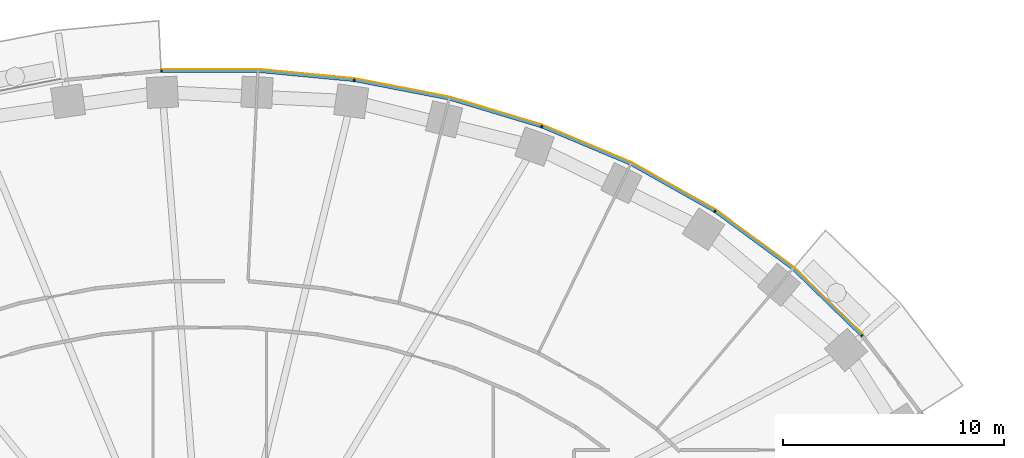
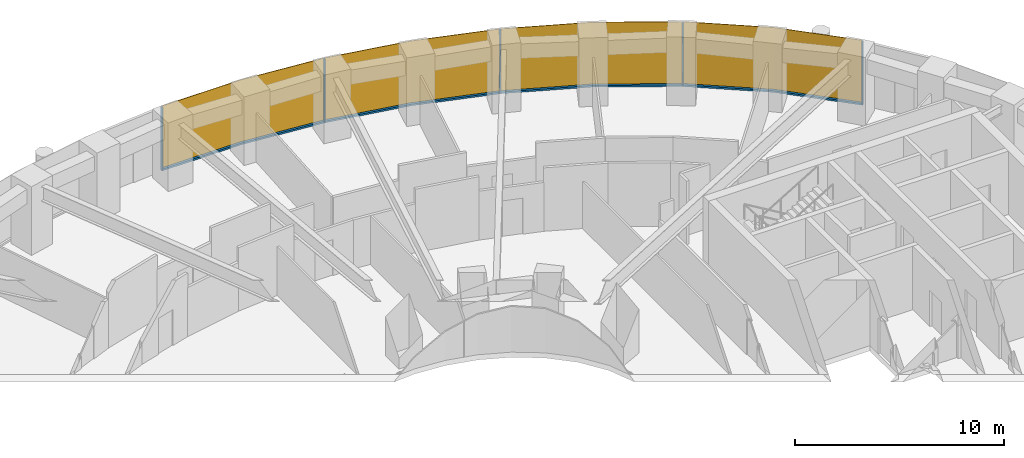
# One storey, part 13 of 16: 9 members, 1 curtain wall.
"""IFC4 building model written with IfcOpenShell, lengths in metres."""

from ifc_helpers import new_model, si_unit, direction, frame, origin, origin_2d, place, context, subcontext, project, spatial, polyline, rectangle, outline, extrude, material, layer, layer_set, material_profile, profile_set, type_object, element, aggregate, save


model = new_model("IFC4")

# Units and contexts
model_context = context("Model", 3, precision=1e-05, world=origin(), true_north=direction((0.0, 1.0)))
body_context = subcontext(model_context, "Body", "Model", "MODEL_VIEW")
ifc_project = project(units=[si_unit("LENGTHUNIT", "METRE"), si_unit("AREAUNIT", "SQUARE_METRE"), si_unit("VOLUMEUNIT", "CUBIC_METRE"), si_unit("PLANEANGLEUNIT", "RADIAN"), si_unit("MASSUNIT", "GRAM", prefix="KILO")], contexts=[model_context])

# Member
ifc_material_1 = material(Name="Aluminium 6063-T6 black anodised", Category="aluminium")
ifc_material_profile = material_profile(ifc_material_1, rectangle(XDim=0.1201171875, YDim=0.06005859375, at=origin_2d()), Name="120x60")
ifc_profile_set = profile_set([ifc_material_profile], Name="Aluminium 6063-T6 black anodised")
member_type_1 = type_object("IfcMemberType", Name="ENV-MULLION-A-120", PredefinedType="MULLION", material=ifc_profile_set)
site_placement = place(None, origin())
building_placement = place(site_placement, origin())
storey_placement = place(building_placement, frame((0.0, 0.0, 66.5)))
member_1_placement = place(storey_placement, frame((29.53857421875, 15.8671875, 0.0), z_axis=(0.0, 0.0, 1.0), x_axis=(-0.749047221705, -0.662516610853, 0.0)))
member_1 = element("IfcMember", 1, at=member_1_placement, type_object=member_type_1, Name="Mullion A radial 05", PredefinedType="MULLION", context=body_context, shape_type="SweptSolid", body=[
    extrude(rectangle(XDim=0.1201171875, YDim=0.06005859375, at=origin_2d()), origin(), (0.0, 0.0, 1.0), 3.699951171875),
])

member_2_placement = place(storey_placement, frame((22.882568359375, 21.506591796875, 0.0), z_axis=(0.0, 0.0, 1.0), x_axis=(-0.542279153225, -0.840198381323, 0.0)))
member_2 = element("IfcMember", 2, at=member_2_placement, type_object=member_type_1, Name="Mullion A radial 07", PredefinedType="MULLION", context=body_context, shape_type="SweptSolid", body=[
    extrude(rectangle(XDim=0.1201171875, YDim=0.06005859375, at=origin_2d()), origin(), (0.0, 0.0, 1.0), 3.699951171875),
])

member_3_placement = place(storey_placement, frame((15.0341796875, 25.34375, 0.0), z_axis=(0.0, 0.0, 1.0), x_axis=(-0.338379256581, -0.941009818608, 0.0)))
member_3 = element("IfcMember", 3, at=member_3_placement, type_object=member_type_1, Name="Mullion A radial 09", PredefinedType="MULLION", context=body_context, shape_type="SweptSolid", body=[
    extrude(rectangle(XDim=0.1201171875, YDim=0.06005859375, at=origin_2d()), origin(), (0.0, 0.0, 1.0), 3.699951171875),
])

member_4_placement = place(storey_placement, frame((6.54638671875, 27.440185546875, 0.0), z_axis=(0.0, 0.0, 1.0), x_axis=(-0.143082012705, -0.989710835366, 0.0)))
member_4 = element("IfcMember", 4, at=member_4_placement, type_object=member_type_1, Name="Mullion A radial 11", PredefinedType="MULLION", context=body_context, shape_type="SweptSolid", body=[
    extrude(rectangle(XDim=0.1201171875, YDim=0.06005859375, at=origin_2d()), origin(), (0.0, 0.0, 1.0), 3.699951171875),
])

member_5_placement = place(storey_placement, frame((-2.188720703125, 27.856201171875, 0.0), z_axis=(0.0, 0.0, 1.0), x_axis=(0.047557873581, -0.998868484166, 0.0)))
member_5 = element("IfcMember", 5, at=member_5_placement, type_object=member_type_1, Name="Mullion A radial 13", PredefinedType="MULLION", context=body_context, shape_type="SweptSolid", body=[
    extrude(rectangle(XDim=0.1201171875, YDim=0.06005859375, at=origin_2d()), origin(), (0.0, 0.0, 1.0), 3.699951171875),
])

ifc_material_2 = material(Name="Aluminium 6063-T6 black anodised", Category="aluminium")
member_type_2 = type_object("IfcMemberType", Name="ENV-TRANSOM-A", PredefinedType="USERDEFINED", material=ifc_material_2)
member_6_placement = place(storey_placement, origin())
member_6 = element("IfcMember", 6, at=member_6_placement, type_object=member_type_2, Name="Transom A radial 05-07", ObjectType="TRANSOM", PredefinedType="USERDEFINED", context=body_context, shape_type="SweptSolid", body=[
    extrude(outline(polyline([(29.5634765625, 15.926513671875), (26.4423828125, 18.958740234375), (22.937744140625, 21.540283203125), (22.87255859375, 21.439208984375), (26.364501953125, 18.866943359375), (29.473388671875, 15.8466796875), (29.5634765625, 15.926513671875)])), origin(), (0.0, 0.0, 1.0), 0.10009765625),
])

member_7_placement = place(storey_placement, origin())
member_7 = element("IfcMember", 7, at=member_7_placement, type_object=member_type_2, Name="Transom A radial 07-09", ObjectType="TRANSOM", PredefinedType="USERDEFINED", context=body_context, shape_type="SweptSolid", body=[
    extrude(outline(polyline([(22.890625, 21.570556640625), (19.093994140625, 23.701416015625), (15.080322265625, 25.389404296875), (15.03955078125, 25.276123046875), (19.041259765625, 23.593505859375), (22.825439453125, 21.469482421875), (22.890625, 21.570556640625)])), origin(), (0.0, 0.0, 1.0), 0.10009765625),
])

member_8_placement = place(storey_placement, origin())
member_8 = element("IfcMember", 8, at=member_8_placement, type_object=member_type_2, Name="Transom A radial 09-11", ObjectType="TRANSOM", PredefinedType="USERDEFINED", context=body_context, shape_type="SweptSolid", body=[
    extrude(outline(polyline([(15.027587890625, 25.408203125), (10.857666015625, 26.6630859375), (6.58251953125, 27.494140625), (6.5654296875, 27.375244140625), (10.828857421875, 26.54638671875), (14.987060546875, 25.295166015625), (15.027587890625, 25.408203125)])), origin(), (0.0, 0.0, 1.0), 0.10009765625),
])

member_9_placement = place(storey_placement, origin())
member_9 = element("IfcMember", 9, at=member_9_placement, type_object=member_type_2, Name="Transom A radial 11-13", ObjectType="TRANSOM", PredefinedType="USERDEFINED", context=body_context, shape_type="SweptSolid", body=[
    extrude(outline(polyline([(6.527099609375, 27.502197265625), (2.191650390625, 27.916015625), (-2.163818359375, 27.916015625), (-2.157958984375, 27.7958984375), (2.185791015625, 27.7958984375), (6.510009765625, 27.38330078125), (6.527099609375, 27.502197265625)])), origin(), (0.0, 0.0, 1.0), 0.10009765625),
])

# Site, building, storey
site = spatial("IfcSite", under=ifc_project, at=site_placement, CompositionType="ELEMENT")
building = spatial("IfcBuilding", under=site, at=building_placement, Name="Noorbagh Ring Tower", CompositionType="ELEMENT")
storey = spatial("IfcBuildingStorey", under=building, at=storey_placement, Name="L14", CompositionType="ELEMENT", Elevation=66.5)

# Curtain wall
ifc_material_3 = material(Name="Glass dark tinted laminated", Category="glass")
ifc_layer = layer(ifc_material_3, 0.031982421875)
ifc_layer_set = layer_set([ifc_layer], Name="Glass dark tinted laminated")
curtain_wall_type = type_object("IfcCurtainWallType", Name="ENV-CW-A", PredefinedType="NOTDEFINED", material=ifc_layer_set)
curtain_wall_placement = place(storey_placement, origin())
curtain_wall = element("IfcCurtainWall", 10, at=curtain_wall_placement, inside=storey, type_object=curtain_wall_type, Name="Curtain wall A R05", PredefinedType="NOTDEFINED", context=body_context, shape_type="SweptSolid", body=[
    extrude(outline(polyline([(29.59326171875, 15.942138671875), (26.463134765625, 18.9833984375), (22.9326171875, 21.583740234375), (19.108154296875, 23.730224609375), (15.065185546875, 25.430419921875), (10.865234375, 26.6943359375), (6.559814453125, 27.53125), (2.193115234375, 27.947998046875), (-2.173095703125, 27.947998046875), (-2.171630859375, 27.916015625), (2.191650390625, 27.916015625), (6.55517578125, 27.49951171875), (10.857666015625, 26.6630859375), (15.054443359375, 25.400146484375), (19.093994140625, 23.701416015625), (22.9150390625, 21.556884765625), (26.4423828125, 18.958740234375), (29.569091796875, 15.9208984375), (29.59326171875, 15.942138671875)])), origin(), (0.0, 0.0, 1.0), 3.699951171875),
])

aggregate(curtain_wall, [member_1, member_2, member_3, member_4, member_5, member_6, member_7, member_8, member_9])

save(model, "model.ifc")
